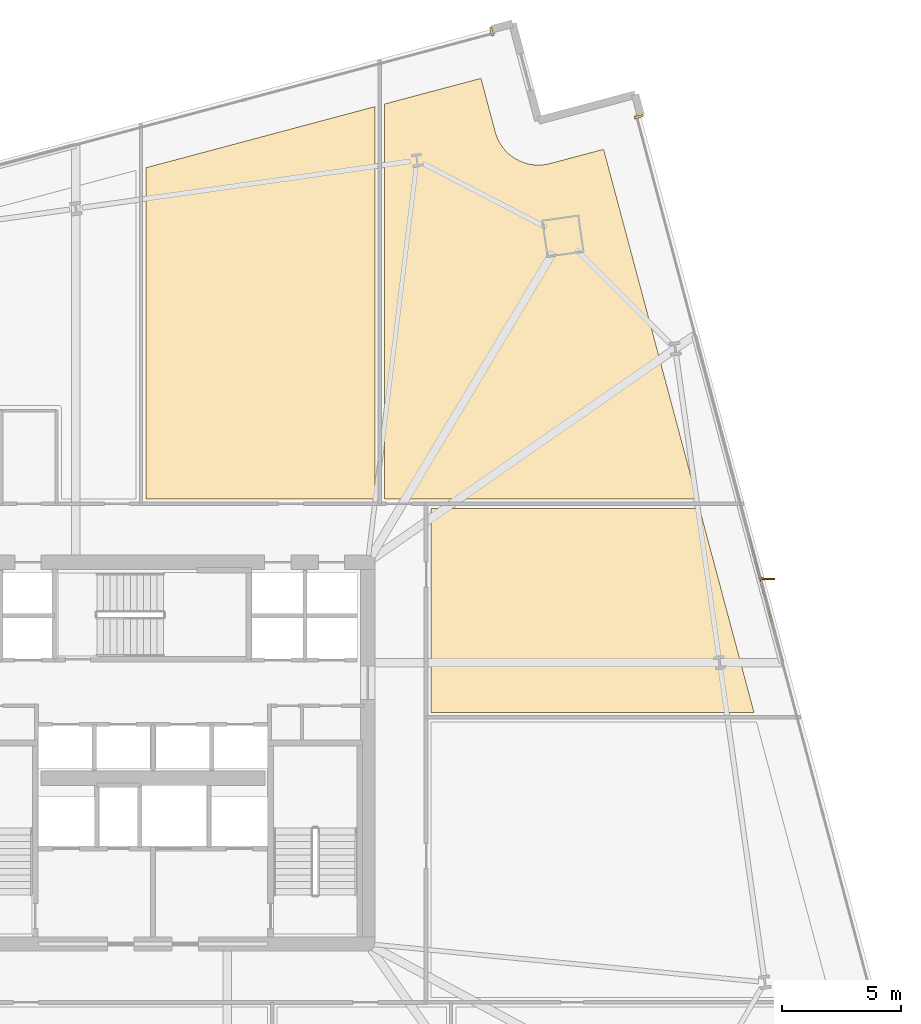
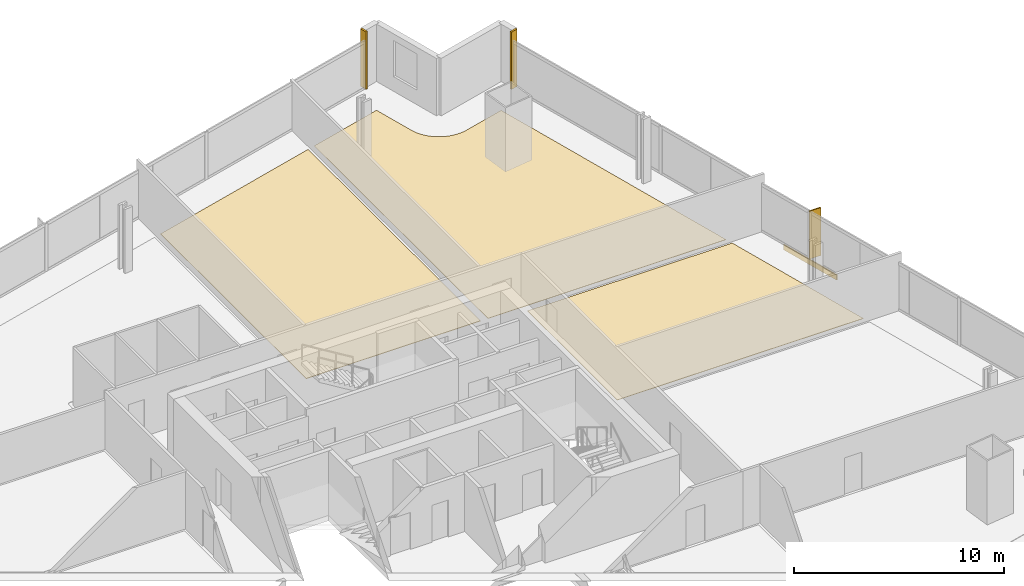
# One storey, part 33 of 33: 6 coverings, 1 shading device.
"""IFC4 building model written with IfcOpenShell, lengths in metres."""

import ifcopenshell
import ifcopenshell.guid

model = None  # the IFC model being written
_history = None  # IfcOwnerHistory: only IFC2X3 demands one
_inside = {}  # id of a spatial element -> (the spatial element, [elements in it])
_under = {}  # id of a project, library or spatial element -> (it, [spatial elements below it])
_declared = {}  # id of a project -> (the project, [libraries it declares])
_typed = {}  # id of a type object -> (the type object, [elements of that type])
_made_of = {}  # id of a material, layer set ... -> (it, [elements and type objects made of it])


def new_model(schema):
    """Start an empty IFC model of exactly this schema.

    Asked for "IFC4X3", IfcOpenShell would pick the latest addendum, in which some entities
    have other attributes; the version numbers below select the first issue.
    IFC2X3 requires an IfcOwnerHistory on every rooted entity: one is made here for all.
    """
    global model, _history
    if schema == "IFC4X3":
        model = ifcopenshell.file(schema_version=(4, 3, 0, 0))
    else:
        model = ifcopenshell.file(schema=schema)
    _inside.clear()
    _under.clear()
    _declared.clear()
    _typed.clear()
    _made_of.clear()
    _history = None
    if model.schema == "IFC2X3":
        org = make("IfcOrganization", Name="unknown")
        user = make(
            "IfcPersonAndOrganization",
            ThePerson=make("IfcPerson", FamilyName="unknown"),
            TheOrganization=org,
        )
        app = make(
            "IfcApplication",
            ApplicationDeveloper=org,
            Version="unknown",
            ApplicationFullName="unknown",
            ApplicationIdentifier="unknown",
        )
        _history = make(
            "IfcOwnerHistory",
            OwningUser=user,
            OwningApplication=app,
            ChangeAction="ADDED",
            CreationDate=0,
        )
    return model


def make(cls, **values):
    """One entity of the class cls with the attributes given. An attribute that is None is left unset."""
    return model.create_entity(
        cls, **{name: value for name, value in values.items() if value is not None}
    )


def rooted(cls, **values):
    """An entity with a GlobalId (a new one), such as an element, a storey or a relation."""
    return make(cls, GlobalId=ifcopenshell.guid.new(), OwnerHistory=_history, **values)


def si_unit(unit_type, name, prefix=None):
    """IfcSIUnit, for example si_unit("LENGTHUNIT", "METRE", prefix="MILLI")."""
    return make("IfcSIUnit", UnitType=unit_type, Prefix=prefix, Name=name)


def assignment(units):
    """IfcUnitAssignment: the units of a project."""
    return None if units is None else make("IfcUnitAssignment", Units=units)


def point(xyz):
    """IfcCartesianPoint."""
    return None if xyz is None else make("IfcCartesianPoint", Coordinates=xyz)


def direction(xyz):
    """IfcDirection."""
    return None if xyz is None else make("IfcDirection", DirectionRatios=xyz)


def frame(location, z_axis=None, x_axis=None):
    """IfcAxis2Placement3D, a coordinate frame: its origin and axes. An axis left out is left unset."""
    return make(
        "IfcAxis2Placement3D",
        Location=point(location),
        Axis=direction(z_axis),
        RefDirection=direction(x_axis),
    )


def frame_2d(location, x_axis=None):
    """IfcAxis2Placement2D, a coordinate frame in the plane: its origin and x axis."""
    return make(
        "IfcAxis2Placement2D", Location=point(location), RefDirection=direction(x_axis)
    )


def origin():
    """The frame at (0, 0, 0) with its axes left unset."""
    return frame((0.0, 0.0, 0.0))


def origin_2d():
    """The frame at (0, 0) in the plane with its x axis left unset."""
    return frame_2d((0.0, 0.0))


def place(relative_to, where):
    """IfcLocalPlacement: puts the frame where relative to a parent placement (None: the world)."""
    return make(
        "IfcLocalPlacement", PlacementRelTo=relative_to, RelativePlacement=where
    )


def context(
    kind, dimensions, precision=None, world=None, true_north=None, identifier=None
):
    """IfcGeometricRepresentationContext, for example the 3D "Model" context."""
    return make(
        "IfcGeometricRepresentationContext",
        ContextIdentifier=identifier,
        ContextType=kind,
        CoordinateSpaceDimension=dimensions,
        Precision=precision,
        WorldCoordinateSystem=world,
        TrueNorth=true_north,
    )


def subcontext(parent, identifier, kind, view, scale=None):
    """IfcGeometricRepresentationSubContext, for example "Body" below "Model"."""
    return make(
        "IfcGeometricRepresentationSubContext",
        ContextIdentifier=identifier,
        ContextType=kind,
        ParentContext=parent,
        TargetScale=scale,
        TargetView=view,
    )


def project(units=None, contexts=None):
    """IfcProject with its units and contexts."""
    return rooted(
        "IfcProject",
        Name="project",
        RepresentationContexts=contexts,
        UnitsInContext=assignment(units),
    )


def spatial(cls, under=None, at=None, **own):
    """A site, building, storey or space (cls), placed at a placement, below another one or the project."""
    s = rooted(cls, ObjectPlacement=at, **own)
    if under is not None:
        _under.setdefault(under.id(), (under, []))[1].append(s)
    return s


def polyline(points):
    """IfcPolyline through the points."""
    return make("IfcPolyline", Points=[point(p) for p in points])


def profile(cls, at=None, kind="AREA", **sizes):
    """A parametric profile (cls). Its sizes go by their IFC names, for example OverallWidth=200.0."""
    return make(cls, ProfileType=kind, Position=at, **sizes)


def rectangle(**sizes):
    """IfcRectangleProfileDef."""
    return profile("IfcRectangleProfileDef", **sizes)


def outline(outer, holes=None, kind="AREA"):
    """IfcArbitraryClosedProfileDef: a profile drawn as a closed curve; with holes, ...WithVoids."""
    if holes is None:
        return make("IfcArbitraryClosedProfileDef", ProfileType=kind, OuterCurve=outer)
    return make(
        "IfcArbitraryProfileDefWithVoids",
        ProfileType=kind,
        OuterCurve=outer,
        InnerCurves=holes,
    )


def extrude(swept, where, along, depth):
    """IfcExtrudedAreaSolid: the profile swept, set in the frame where, extruded along a direction by depth."""
    return make(
        "IfcExtrudedAreaSolid",
        SweptArea=swept,
        Position=where,
        ExtrudedDirection=direction(along),
        Depth=depth,
    )


def shape(context_of_items, identifier, shape_type, items):
    """IfcShapeRepresentation: the items that make up one representation, for example the "Body"."""
    return make(
        "IfcShapeRepresentation",
        ContextOfItems=context_of_items,
        RepresentationIdentifier=identifier,
        RepresentationType=shape_type,
        Items=items,
    )


def source(mapping_origin, context_of_items, identifier, shape_type, items):
    """IfcRepresentationMap: a shape defined once, which mapped items show again and again."""
    return make(
        "IfcRepresentationMap",
        MappingOrigin=mapping_origin,
        MappedRepresentation=shape(context_of_items, identifier, shape_type, items),
    )


def transform(
    local_origin,
    x_axis=None,
    y_axis=None,
    z_axis=None,
    scale=None,
    scale2=None,
    scale3=None,
    uniform=True,
):
    """IfcCartesianTransformationOperator3D, or its non-uniform kind. x_axis, y_axis, z_axis: its Axis1, 2, 3."""
    if uniform:
        return make(
            "IfcCartesianTransformationOperator3D",
            Axis1=direction(x_axis),
            Axis2=direction(y_axis),
            LocalOrigin=point(local_origin),
            Scale=scale,
            Axis3=direction(z_axis),
        )
    return make(
        "IfcCartesianTransformationOperator3DnonUniform",
        Axis1=direction(x_axis),
        Axis2=direction(y_axis),
        LocalOrigin=point(local_origin),
        Scale=scale,
        Axis3=direction(z_axis),
        Scale2=scale2,
        Scale3=scale3,
    )


def mapped(mapping_source, mapping_target):
    """IfcMappedItem: shows the shape of a source again, moved by a transform."""
    return make(
        "IfcMappedItem", MappingSource=mapping_source, MappingTarget=mapping_target
    )


def material(Name=None, Category=None):
    """IfcMaterial."""
    return make("IfcMaterial", Name=Name, Category=Category)


def layer(
    of_material, thickness, ventilated=None, Name=None, Category=None, Priority=None
):
    """IfcMaterialLayer: one layer of a wall or slab, of a material (None: an air gap)."""
    return make(
        "IfcMaterialLayer",
        Material=of_material,
        LayerThickness=thickness,
        IsVentilated=ventilated,
        Name=Name,
        Category=Category,
        Priority=Priority,
    )


def layer_set(layers, Name=None):
    """IfcMaterialLayerSet."""
    return make("IfcMaterialLayerSet", MaterialLayers=layers, LayerSetName=Name)


def made_of(thing, what):
    """Note that an element or type object is made of a material, layer set ...; save() writes the relation."""
    if what is not None:
        _made_of.setdefault(what.id(), (what, []))[1].append(thing)
    return thing


def type_object(cls, material=None, **own):
    """A type object (cls), such as IfcWallType, which elements share."""
    return made_of(rooted(cls, **own), material)


def element(
    cls,
    number,
    at=None,
    inside=None,
    cuts=None,
    type_object=None,
    material=None,
    context=None,
    identifier="Body",
    shape_type=None,
    held_by="IfcProductDefinitionShape",
    body=None,
    shapes=None,
    **own,
):
    """One element of the class cls, such as IfcWall. Its Tag is "e" and its number.

    at: its placement. inside: the storey or other place that contains it. cuts: it is an
    opening in that element (IfcRelVoidsElement). A single representation is given by context,
    identifier, shape_type and body (its items); several are given by shapes. held_by: the class
    of the entity that holds the representations. save() writes the other relations.
    """
    e = rooted(cls, Tag="e%d" % number, ObjectPlacement=at, **own)
    if body is not None:
        shapes = [shape(context, identifier, shape_type, body)]
    if shapes is not None:
        e.Representation = make(held_by, Representations=shapes)
    if inside is not None:
        _inside.setdefault(inside.id(), (inside, []))[1].append(e)
    if cuts is not None:
        rooted(
            "IfcRelVoidsElement", RelatingBuildingElement=cuts, RelatedOpeningElement=e
        )
    if type_object is not None:
        _typed.setdefault(type_object.id(), (type_object, []))[1].append(e)
    return made_of(e, material)


def aggregate(whole, parts):
    """IfcRelAggregates: a whole, such as a stair, and the parts it consists of."""
    return rooted("IfcRelAggregates", RelatingObject=whole, RelatedObjects=parts)


def save(model, path):
    """Write the relations noted so far, then the file.

    IfcRelAggregates (storeys below a building ...), IfcRelContainedInSpatialStructure (elements
    in a storey), IfcRelDefinesByType, IfcRelAssociatesMaterial and IfcRelDeclares: one each for
    every whole, place, type object, material and project.
    """
    for whole, parts in _under.values():
        aggregate(whole, parts)
    for where, things in _inside.values():
        rooted(
            "IfcRelContainedInSpatialStructure",
            RelatedElements=things,
            RelatingStructure=where,
        )
    for kind, things in _typed.values():
        rooted("IfcRelDefinesByType", RelatedObjects=things, RelatingType=kind)
    for what, things in _made_of.values():
        rooted("IfcRelAssociatesMaterial", RelatedObjects=things, RelatingMaterial=what)
    for by, libraries in _declared.values():
        rooted("IfcRelDeclares", RelatingContext=by, RelatedDefinitions=libraries)
    model.write(path)


model = new_model("IFC4")

# Units and contexts
model_context = context("Model", 3, precision=1e-05, world=origin(), true_north=direction((0.0, 1.0)))
body_context = subcontext(model_context, "Body", "Model", "MODEL_VIEW")
ifc_project = project(units=[si_unit("LENGTHUNIT", "METRE"), si_unit("AREAUNIT", "SQUARE_METRE"), si_unit("VOLUMEUNIT", "CUBIC_METRE"), si_unit("PLANEANGLEUNIT", "RADIAN"), si_unit("MASSUNIT", "GRAM", prefix="KILO")], contexts=[model_context])

# Site, building, storey
site_placement = place(None, origin())
site = spatial("IfcSite", under=ifc_project, at=site_placement, CompositionType="ELEMENT")
building_placement = place(site_placement, origin())
building = spatial("IfcBuilding", under=site, at=building_placement, Name="Haldenkirk Collegiate Tower", CompositionType="ELEMENT")
storey_placement = place(building_placement, frame((0.0, 0.0, 77.699951171875)))
storey = spatial("IfcBuildingStorey", under=building, at=storey_placement, Name="L18", CompositionType="ELEMENT", Elevation=77.699951171875)

# Coverings
ifc_material_1 = material(Name="Polished collegiate terrazzo", Category="concrete")
ifc_layer_1 = layer(ifc_material_1, 0.02490234375)
ifc_layer_set_1 = layer_set([ifc_layer_1], Name="Polished collegiate terrazzo")
covering_type_1 = type_object("IfcCoveringType", Name="COV-FLOOR-TERRAZZO", PredefinedType="FLOORING", material=ifc_layer_set_1)
covering_1_placement = place(storey_placement, origin())
element("IfcCovering", 1, at=covering_1_placement, inside=storey, type_object=covering_type_1, Name="L18 academic room finish 06", PredefinedType="FLOORING", context=body_context, shape_type="SweptSolid", body=[
    extrude(outline(polyline([(45.300048828125, 53.096435546875), (45.300048828125, 36.64990234375), (35.699951171875, 36.64990234375), (35.699951171875, 50.532958984375), (45.300048828125, 53.096435546875)])), origin(), (0.0, 0.0, 1.0), 0.025146484375),
])
covering_2_placement = place(storey_placement, origin())
element("IfcCovering", 2, at=covering_2_placement, inside=storey, type_object=covering_type_1, Name="L18 academic room finish 12", PredefinedType="FLOORING", context=body_context, shape_type="SweptSolid", body=[
    extrude(outline(polyline([(61.1943359375, 27.699951171875), (47.64990234375, 27.699951171875), (47.64990234375, 36.25), (58.9111328125, 36.25), (61.1943359375, 27.699951171875)])), origin(), (0.0, 0.0, 1.0), 0.025146484375),
])
ifc_material_2 = material(Name="Engineered collegiate oak acoustic flooring", Category="wood")
ifc_layer_2 = layer(ifc_material_2, 0.02197265625)
ifc_layer_set_2 = layer_set([ifc_layer_2], Name="Engineered collegiate oak acoustic flooring")
covering_type_2 = type_object("IfcCoveringType", Name="COV-FLOOR-TIMBER", PredefinedType="FLOORING", material=ifc_layer_set_2)
covering_3_placement = place(storey_placement, origin())
element("IfcCovering", 3, at=covering_3_placement, inside=storey, type_object=covering_type_2, Name="L18 academic room finish 07", PredefinedType="FLOORING", context=body_context, shape_type="SweptSolid", body=[
    extrude(outline(polyline([(49.748779296875, 54.2841796875), (50.349853515625, 52.032958984375), (50.351318359375, 52.02734375), (50.40380859375, 51.864013671875), (50.407958984375, 51.852783203125), (50.476318359375, 51.6953125), (50.4814453125, 51.684814453125), (50.564697265625, 51.534423828125), (50.57080078125, 51.5244140625), (50.66845703125, 51.38330078125), (50.675537109375, 51.373779296875), (50.78662109375, 51.242919921875), (50.794677734375, 51.234130859375), (50.91796875, 51.114501953125), (50.9267578125, 51.10693359375), (51.061279296875, 51.0), (51.07080078125, 50.9931640625), (51.215087890625, 50.89990234375), (51.225341796875, 50.89404296875), (51.3779296875, 50.8154296875), (51.388671875, 50.810546875), (51.54833984375, 50.747314453125), (51.5595703125, 50.743408203125), (51.724609375, 50.6962890625), (51.736083984375, 50.693603515625), (51.905029296875, 50.66259765625), (51.916748046875, 50.6611328125), (52.087890625, 50.64697265625), (52.099609375, 50.646484375), (52.271240234375, 50.649169921875), (52.282958984375, 50.64990234375), (52.45361328125, 50.66943359375), (52.46533203125, 50.67138671875), (52.63330078125, 50.70751953125), (52.638916015625, 50.708740234375), (54.889892578125, 51.309814453125), (58.804443359375, 36.64990234375), (45.699951171875, 36.64990234375), (45.699951171875, 53.203125), (49.748779296875, 54.2841796875)])), origin(), (0.0, 0.0, 1.0), 0.02197265625),
])
ifc_material_3 = material(Name="Anodised architectural bronze aluminium", Category="aluminium")
ifc_layer_3 = layer(ifc_material_3, 0.06005859375)
ifc_layer_set_3 = layer_set([ifc_layer_3], Name="Anodised architectural bronze aluminium")
covering_type_3 = type_object("IfcCoveringType", Name="COV-CLAD-BRONZE-60", PredefinedType="CLADDING", material=ifc_layer_set_3)
shared_shape_1 = source(origin(), body_context, "Body", "SweptSolid", [
    extrude(rectangle(XDim=3.60009765625, YDim=0.06005859375, at=origin_2d()), origin(), (0.0, 0.0, 1.0), 0.300048828125),
])
covering_4_placement = place(storey_placement, frame((61.467529296875, 33.227294921875, -0.2998046875), z_axis=(0.0, 0.0, 1.0), x_axis=(0.257976017359, -0.966151320688, 0.0)))
element("IfcCovering", 4, at=covering_4_placement, inside=storey, type_object=covering_type_3, Name="L18 architectural bronze spandrel cladding E", PredefinedType="CLADDING", context=body_context, shape_type="MappedRepresentation", body=[
    mapped(shared_shape_1, transform((0.0, 0.0, 0.0), x_axis=(1.0, 0.0, 0.0), y_axis=(0.0, 1.0, 0.0), z_axis=(0.0, 0.0, 1.0), scale=1.0)),
])
shared_shape_2 = source(origin(), body_context, "Body", "SweptSolid", [
    extrude(rectangle(XDim=0.10009765625, YDim=0.3798828125, at=origin_2d()), origin(), (0.0, 0.0, 1.0), 3.340087890625),
])
for number, where, z_axis, x_axis, name in (
    (5, (56.3671875, 52.67724609375, 0.0), (0.0, 0.0, 1.0), (0.257976017359, -0.966151320688, 0.0), "L18 recessed curtain-wall bronze jamb closure EJL"),
    (6, (50.19775390625, 56.246337890625, 0.0), (0.0, 0.0, 1.0), (0.966151320688, 0.257976017359, 0.0), "L18 recessed curtain-wall bronze jamb closure NJR"),
):
    element("IfcCovering", number, at=place(storey_placement, frame(where, z_axis=z_axis, x_axis=x_axis)), inside=storey, type_object=covering_type_3, Name=name, PredefinedType="CLADDING", context=body_context, shape_type="MappedRepresentation", body=[
        mapped(shared_shape_2, transform((0.0, 0.0, 0.0), x_axis=(1.0, 0.0, 0.0), y_axis=(0.0, 1.0, 0.0), z_axis=(0.0, 0.0, 1.0), scale=1.0)),
    ])

# Shading device
ifc_layer_4 = layer(ifc_material_3, 0.06494140625)
ifc_layer_set_4 = layer_set([ifc_layer_4], Name="Anodised architectural bronze aluminium")
shading_device_type = type_object("IfcShadingDeviceType", Name="SHD-FIN-BRONZE-620", PredefinedType="USERDEFINED", material=ifc_layer_set_4)
shared_shape_3 = source(origin(), body_context, "Body", "SweptSolid", [
    extrude(rectangle(XDim=0.6201171875, YDim=0.06494140625, at=origin_2d()), origin(), (0.0, 0.0, 1.0), 2.791015625),
])
shading_device_placement = place(storey_placement, frame((61.752685546875, 33.30322265625, 0.0), z_axis=(0.0, 0.0, 1.0), x_axis=(0.999832084347, -0.018324931396, 0.0)))
element("IfcShadingDevice", 7, at=shading_device_placement, inside=storey, type_object=shading_device_type, Name="L18 folded bronze solar fin 1", ObjectType="FIN", PredefinedType="USERDEFINED", context=body_context, shape_type="MappedRepresentation", body=[
    mapped(shared_shape_3, transform((0.0, 0.0, 0.0), x_axis=(1.0, 0.0, 0.0), y_axis=(0.0, 1.0, 0.0), z_axis=(0.0, 0.0, 1.0), scale=1.0)),
])

save(model, "model.ifc")
